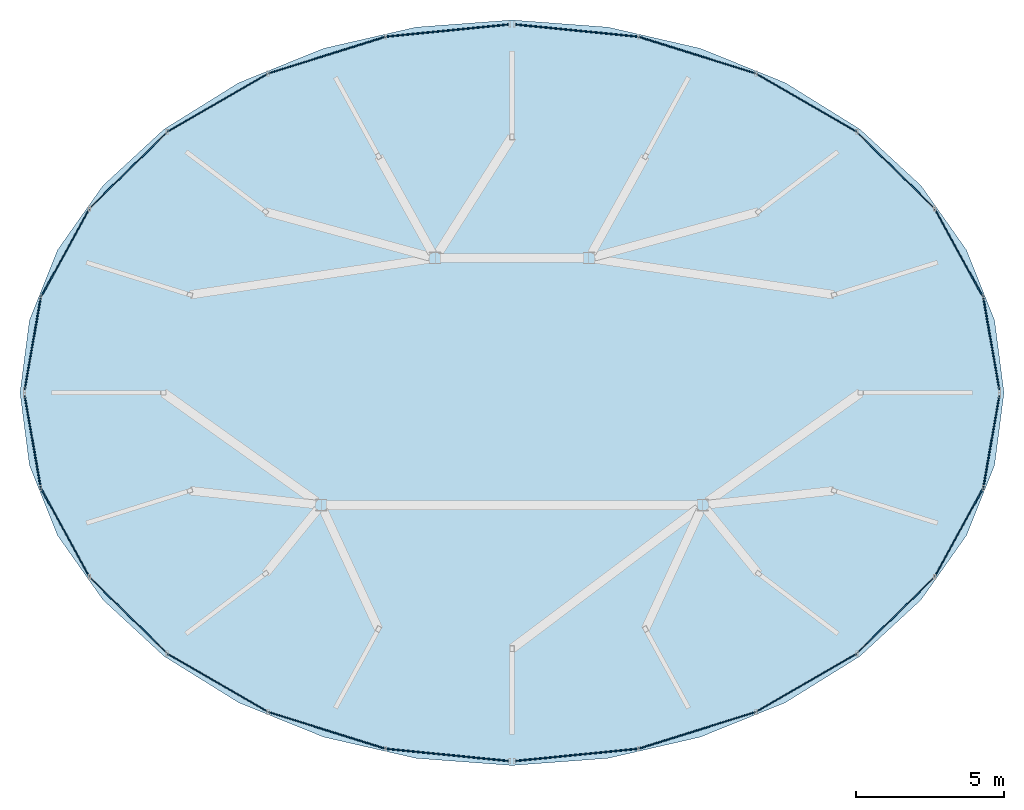
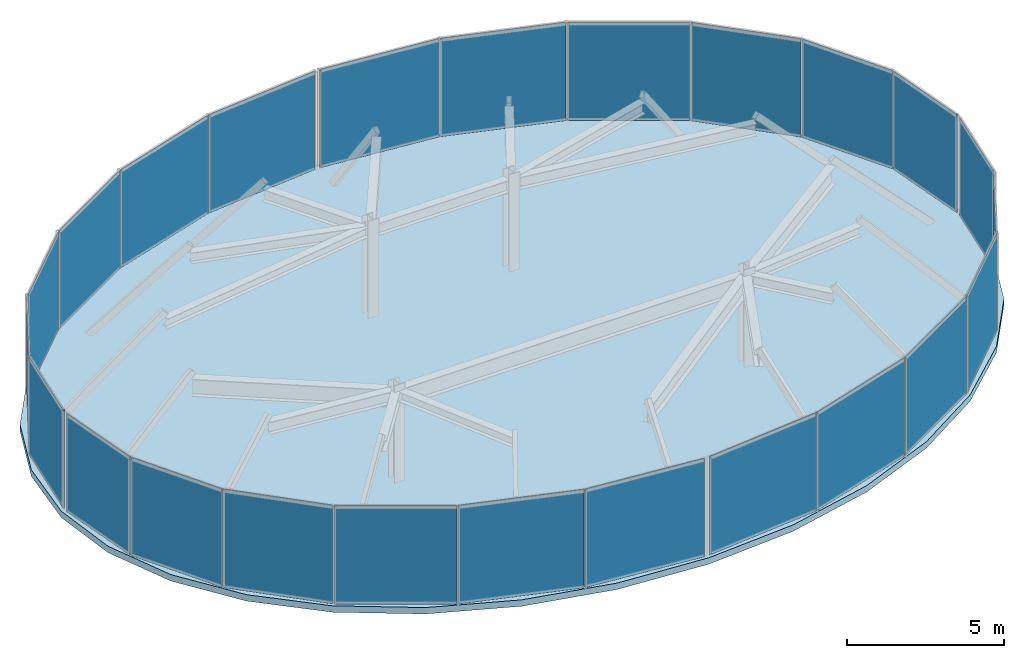
# One storey, part 13 of 13: 24 plates, 1 slab, 4 elements without a shape of their own.
"""IFC4 building model written with IfcOpenShell, lengths in metres."""

from ifc_helpers import new_model, si_unit, direction, frame, origin, origin_2d, place, context, subcontext, project, spatial, polyline, rectangle, outline, extrude, material, layer, layer_set, type_object, element, aggregate, save


model = new_model("IFC4")

# Units and contexts
model_context = context("Model", 3, precision=1e-05, world=origin(), true_north=direction((0.0, 1.0)))
body_context = subcontext(model_context, "Body", "Model", "MODEL_VIEW")
ifc_project = project(units=[si_unit("LENGTHUNIT", "METRE"), si_unit("AREAUNIT", "SQUARE_METRE"), si_unit("VOLUMEUNIT", "CUBIC_METRE"), si_unit("PLANEANGLEUNIT", "RADIAN"), si_unit("MASSUNIT", "GRAM", prefix="KILO")], contexts=[model_context])

# Site, building, storey
site_placement = place(None, origin())
site = spatial("IfcSite", under=ifc_project, at=site_placement, CompositionType="ELEMENT")
building_placement = place(site_placement, origin())
building = spatial("IfcBuilding", under=site, at=building_placement, Name="Vorneva Point Tower", CompositionType="ELEMENT")
storey_placement = place(building_placement, frame((0.0, 0.0, 303.0)))
storey = spatial("IfcBuildingStorey", under=building, at=storey_placement, Name="C03", CompositionType="ELEMENT", Elevation=303.0)

# Curtain wall, plates
ifc_material_1 = material(Name="Pale anodised aluminium", Category="aluminium")
curtain_wall_type = type_object("IfcCurtainWallType", Name="CW-CRN-SYS", PredefinedType="NOTDEFINED", material=ifc_material_1)
curtain_wall_1_placement = place(storey_placement, origin())
curtain_wall_1 = element("IfcCurtainWall", 1, at=curtain_wall_1_placement, inside=storey, type_object=curtain_wall_type, Name="C03 Unitised Curtain Wall CW-C03-Q1", PredefinedType="NOTDEFINED")
ifc_material_2 = material(Name="Triple-laminated clear crown glass", Category="glass")
ifc_layer_1 = layer(ifc_material_2, 0.0419921875)
ifc_layer_set_1 = layer_set([ifc_layer_1], Name="Triple-laminated clear crown glass")
plate_type = type_object("IfcPlateType", Name="CW-PNL-CRN", PredefinedType="CURTAIN_PANEL", material=ifc_layer_set_1)
plate_1_placement = place(storey_placement, frame((54.2041015625, 27.65185546875, -0.02001953125), z_axis=(0.0, 0.0, 1.0), x_axis=(-0.171688387532, 0.985151306951, 0.0)))
plate_1 = element("IfcPlate", 2, at=plate_1_placement, type_object=plate_type, Name="CW-C03-Q1 Glazed Panel 01", PredefinedType="CURTAIN_PANEL", context=body_context, shape_type="SweptSolid", body=[
    extrude(rectangle(XDim=3.1435546875, YDim=0.0419921875, at=origin_2d()), origin(), (0.0, 0.0, 1.0), 3.840087890625),
])
plate_2_placement = place(storey_placement, frame((53.106201171875, 30.727294921875, -0.02001953125), z_axis=(0.0, 0.0, 1.0), x_axis=(-0.480728617686, 0.876869429355, 0.0)))
plate_2 = element("IfcPlate", 3, at=plate_2_placement, type_object=plate_type, Name="CW-C03-Q1 Glazed Panel 02", PredefinedType="CURTAIN_PANEL", context=body_context, shape_type="SweptSolid", body=[
    extrude(rectangle(XDim=3.377197265625, YDim=0.0419921875, at=origin_2d()), origin(), (0.0, 0.0, 1.0), 3.840087890625),
])
plate_3_placement = place(storey_placement, frame((50.971923828125, 33.520263671875, -0.02001953125), z_axis=(0.0, 0.0, 1.0), x_axis=(-0.712565050819, 0.701606049255, 0.0)))
plate_3 = element("IfcPlate", 4, at=plate_3_placement, type_object=plate_type, Name="CW-C03-Q1 Glazed Panel 03", PredefinedType="CURTAIN_PANEL", context=body_context, shape_type="SweptSolid", body=[
    extrude(rectangle(XDim=3.628173828125, YDim=0.0419921875, at=origin_2d()), origin(), (0.0, 0.0, 1.0), 3.840087890625),
])
plate_4_placement = place(storey_placement, frame((47.953857421875, 35.80078125, -0.02001953125), z_axis=(0.0, 0.0, 1.0), x_axis=(-0.865133914015, 0.501540936336, 0.0)))
plate_4 = element("IfcPlate", 5, at=plate_4_placement, type_object=plate_type, Name="CW-C03-Q1 Glazed Panel 04", PredefinedType="CURTAIN_PANEL", context=body_context, shape_type="SweptSolid", body=[
    extrude(rectangle(XDim=3.898193359375, YDim=0.0419921875, at=origin_2d()), origin(), (0.0, 0.0, 1.0), 3.840087890625),
])
plate_5_placement = place(storey_placement, frame((44.257080078125, 37.4130859375, -0.02001953125), z_axis=(0.0, 0.0, 1.0), x_axis=(-0.954365506711, 0.298641054779, 0.0)))
plate_5 = element("IfcPlate", 6, at=plate_5_placement, type_object=plate_type, Name="CW-C03-Q1 Glazed Panel 05", PredefinedType="CURTAIN_PANEL", context=body_context, shape_type="SweptSolid", body=[
    extrude(rectangle(XDim=4.117919921875, YDim=0.0419921875, at=origin_2d()), origin(), (0.0, 0.0, 1.0), 3.840087890625),
])
plate_6_placement = place(storey_placement, frame((40.174072265625, 38.243896484375, -0.02001953125), z_axis=(0.0, 0.0, 1.0), x_axis=(-0.995088450925, 0.098989771366, 0.0)))
plate_6 = element("IfcPlate", 7, at=plate_6_placement, type_object=plate_type, Name="CW-C03-Q1 Glazed Panel 06", PredefinedType="CURTAIN_PANEL", context=body_context, shape_type="SweptSolid", body=[
    extrude(rectangle(XDim=4.159423828125, YDim=0.0419921875, at=origin_2d()), origin(), (0.0, 0.0, 1.0), 3.840087890625),
])
aggregate(curtain_wall_1, [plate_1, plate_2, plate_3, plate_4, plate_5, plate_6])

curtain_wall_2_placement = place(storey_placement, origin())
curtain_wall_2 = element("IfcCurtainWall", 8, at=curtain_wall_2_placement, inside=storey, type_object=curtain_wall_type, Name="C03 Unitised Curtain Wall CW-C03-Q2", PredefinedType="NOTDEFINED")
plate_7_placement = place(storey_placement, frame((35.825927734375, 38.243896484375, -0.02001953125), z_axis=(0.0, 0.0, 1.0), x_axis=(-0.995088450925, -0.098989771366, 0.0)))
plate_7 = element("IfcPlate", 9, at=plate_7_placement, type_object=plate_type, Name="CW-C03-Q2 Glazed Panel 01", PredefinedType="CURTAIN_PANEL", context=body_context, shape_type="SweptSolid", body=[
    extrude(rectangle(XDim=4.159423828125, YDim=0.0419921875, at=origin_2d()), origin(), (0.0, 0.0, 1.0), 3.840087890625),
])
plate_8_placement = place(storey_placement, frame((31.742919921875, 37.4130859375, -0.02001953125), z_axis=(0.0, 0.0, 1.0), x_axis=(-0.954365506711, -0.298641054779, 0.0)))
plate_8 = element("IfcPlate", 10, at=plate_8_placement, type_object=plate_type, Name="CW-C03-Q2 Glazed Panel 02", PredefinedType="CURTAIN_PANEL", context=body_context, shape_type="SweptSolid", body=[
    extrude(rectangle(XDim=4.117919921875, YDim=0.0419921875, at=origin_2d()), origin(), (0.0, 0.0, 1.0), 3.840087890625),
])
plate_9_placement = place(storey_placement, frame((28.046142578125, 35.80078125, -0.02001953125), z_axis=(0.0, 0.0, 1.0), x_axis=(-0.865133914015, -0.501540936336, 0.0)))
plate_9 = element("IfcPlate", 11, at=plate_9_placement, type_object=plate_type, Name="CW-C03-Q2 Glazed Panel 03", PredefinedType="CURTAIN_PANEL", context=body_context, shape_type="SweptSolid", body=[
    extrude(rectangle(XDim=3.898193359375, YDim=0.0419921875, at=origin_2d()), origin(), (0.0, 0.0, 1.0), 3.840087890625),
])
plate_10_placement = place(storey_placement, frame((25.028076171875, 33.520263671875, -0.02001953125), z_axis=(0.0, 0.0, 1.0), x_axis=(-0.712565050819, -0.701606049255, 0.0)))
plate_10 = element("IfcPlate", 12, at=plate_10_placement, type_object=plate_type, Name="CW-C03-Q2 Glazed Panel 04", PredefinedType="CURTAIN_PANEL", context=body_context, shape_type="SweptSolid", body=[
    extrude(rectangle(XDim=3.628173828125, YDim=0.0419921875, at=origin_2d()), origin(), (0.0, 0.0, 1.0), 3.840087890625),
])
plate_11_placement = place(storey_placement, frame((22.893798828125, 30.727294921875, -0.02001953125), z_axis=(0.0, 0.0, 1.0), x_axis=(-0.480728617686, -0.876869429355, 0.0)))
plate_11 = element("IfcPlate", 13, at=plate_11_placement, type_object=plate_type, Name="CW-C03-Q2 Glazed Panel 05", PredefinedType="CURTAIN_PANEL", context=body_context, shape_type="SweptSolid", body=[
    extrude(rectangle(XDim=3.377197265625, YDim=0.0419921875, at=origin_2d()), origin(), (0.0, 0.0, 1.0), 3.840087890625),
])
plate_12_placement = place(storey_placement, frame((21.7958984375, 27.65185546875, -0.02001953125), z_axis=(0.0, 0.0, 1.0), x_axis=(-0.171688387532, -0.985151306951, 0.0)))
plate_12 = element("IfcPlate", 14, at=plate_12_placement, type_object=plate_type, Name="CW-C03-Q2 Glazed Panel 06", PredefinedType="CURTAIN_PANEL", context=body_context, shape_type="SweptSolid", body=[
    extrude(rectangle(XDim=3.1435546875, YDim=0.0419921875, at=origin_2d()), origin(), (0.0, 0.0, 1.0), 3.840087890625),
])
aggregate(curtain_wall_2, [plate_7, plate_8, plate_9, plate_10, plate_11, plate_12])

curtain_wall_3_placement = place(storey_placement, origin())
curtain_wall_3 = element("IfcCurtainWall", 15, at=curtain_wall_3_placement, inside=storey, type_object=curtain_wall_type, Name="C03 Unitised Curtain Wall CW-C03-Q3", PredefinedType="NOTDEFINED")
plate_13_placement = place(storey_placement, frame((21.7958984375, 24.34814453125, -0.02001953125), z_axis=(0.0, 0.0, 1.0), x_axis=(0.171688387532, -0.985151306951, 0.0)))
plate_13 = element("IfcPlate", 16, at=plate_13_placement, type_object=plate_type, Name="CW-C03-Q3 Glazed Panel 01", PredefinedType="CURTAIN_PANEL", context=body_context, shape_type="SweptSolid", body=[
    extrude(rectangle(XDim=3.1435546875, YDim=0.0419921875, at=origin_2d()), origin(), (0.0, 0.0, 1.0), 3.840087890625),
])
plate_14_placement = place(storey_placement, frame((22.893798828125, 21.2724609375, -0.02001953125), z_axis=(0.0, 0.0, 1.0), x_axis=(0.480728617686, -0.876869429355, 0.0)))
plate_14 = element("IfcPlate", 17, at=plate_14_placement, type_object=plate_type, Name="CW-C03-Q3 Glazed Panel 02", PredefinedType="CURTAIN_PANEL", context=body_context, shape_type="SweptSolid", body=[
    extrude(rectangle(XDim=3.377197265625, YDim=0.0419921875, at=origin_2d()), origin(), (0.0, 0.0, 1.0), 3.840087890625),
])
plate_15_placement = place(storey_placement, frame((25.028076171875, 18.479736328125, -0.02001953125), z_axis=(0.0, 0.0, 1.0), x_axis=(0.712565050819, -0.701606049255, 0.0)))
plate_15 = element("IfcPlate", 18, at=plate_15_placement, type_object=plate_type, Name="CW-C03-Q3 Glazed Panel 03", PredefinedType="CURTAIN_PANEL", context=body_context, shape_type="SweptSolid", body=[
    extrude(rectangle(XDim=3.628173828125, YDim=0.0419921875, at=origin_2d()), origin(), (0.0, 0.0, 1.0), 3.840087890625),
])
plate_16_placement = place(storey_placement, frame((28.046142578125, 16.19921875, -0.02001953125), z_axis=(0.0, 0.0, 1.0), x_axis=(0.865133914015, -0.501540936336, 0.0)))
plate_16 = element("IfcPlate", 19, at=plate_16_placement, type_object=plate_type, Name="CW-C03-Q3 Glazed Panel 04", PredefinedType="CURTAIN_PANEL", context=body_context, shape_type="SweptSolid", body=[
    extrude(rectangle(XDim=3.898193359375, YDim=0.0419921875, at=origin_2d()), origin(), (0.0, 0.0, 1.0), 3.840087890625),
])
plate_17_placement = place(storey_placement, frame((31.742919921875, 14.5869140625, -0.02001953125), z_axis=(0.0, 0.0, 1.0), x_axis=(0.954365506711, -0.298641054779, 0.0)))
plate_17 = element("IfcPlate", 20, at=plate_17_placement, type_object=plate_type, Name="CW-C03-Q3 Glazed Panel 05", PredefinedType="CURTAIN_PANEL", context=body_context, shape_type="SweptSolid", body=[
    extrude(rectangle(XDim=4.117919921875, YDim=0.0419921875, at=origin_2d()), origin(), (0.0, 0.0, 1.0), 3.840087890625),
])
plate_18_placement = place(storey_placement, frame((35.825927734375, 13.75634765625, -0.02001953125), z_axis=(0.0, 0.0, 1.0), x_axis=(0.995088450925, -0.098989771366, 0.0)))
plate_18 = element("IfcPlate", 21, at=plate_18_placement, type_object=plate_type, Name="CW-C03-Q3 Glazed Panel 06", PredefinedType="CURTAIN_PANEL", context=body_context, shape_type="SweptSolid", body=[
    extrude(rectangle(XDim=4.159423828125, YDim=0.0419921875, at=origin_2d()), origin(), (0.0, 0.0, 1.0), 3.840087890625),
])
aggregate(curtain_wall_3, [plate_13, plate_14, plate_15, plate_16, plate_17, plate_18])

curtain_wall_4_placement = place(storey_placement, origin())
curtain_wall_4 = element("IfcCurtainWall", 22, at=curtain_wall_4_placement, inside=storey, type_object=curtain_wall_type, Name="C03 Unitised Curtain Wall CW-C03-Q4", PredefinedType="NOTDEFINED")
plate_19_placement = place(storey_placement, frame((40.174072265625, 13.75634765625, -0.02001953125), z_axis=(0.0, 0.0, 1.0), x_axis=(0.995088450925, 0.098989771366, 0.0)))
plate_19 = element("IfcPlate", 23, at=plate_19_placement, type_object=plate_type, Name="CW-C03-Q4 Glazed Panel 01", PredefinedType="CURTAIN_PANEL", context=body_context, shape_type="SweptSolid", body=[
    extrude(rectangle(XDim=4.159423828125, YDim=0.0419921875, at=origin_2d()), origin(), (0.0, 0.0, 1.0), 3.840087890625),
])
plate_20_placement = place(storey_placement, frame((44.257080078125, 14.5869140625, -0.02001953125), z_axis=(0.0, 0.0, 1.0), x_axis=(0.954365506711, 0.298641054779, 0.0)))
plate_20 = element("IfcPlate", 24, at=plate_20_placement, type_object=plate_type, Name="CW-C03-Q4 Glazed Panel 02", PredefinedType="CURTAIN_PANEL", context=body_context, shape_type="SweptSolid", body=[
    extrude(rectangle(XDim=4.117919921875, YDim=0.0419921875, at=origin_2d()), origin(), (0.0, 0.0, 1.0), 3.840087890625),
])
plate_21_placement = place(storey_placement, frame((47.953857421875, 16.19921875, -0.02001953125), z_axis=(0.0, 0.0, 1.0), x_axis=(0.865133914015, 0.501540936336, 0.0)))
plate_21 = element("IfcPlate", 25, at=plate_21_placement, type_object=plate_type, Name="CW-C03-Q4 Glazed Panel 03", PredefinedType="CURTAIN_PANEL", context=body_context, shape_type="SweptSolid", body=[
    extrude(rectangle(XDim=3.898193359375, YDim=0.0419921875, at=origin_2d()), origin(), (0.0, 0.0, 1.0), 3.840087890625),
])
plate_22_placement = place(storey_placement, frame((50.971923828125, 18.479736328125, -0.02001953125), z_axis=(0.0, 0.0, 1.0), x_axis=(0.712565050819, 0.701606049255, 0.0)))
plate_22 = element("IfcPlate", 26, at=plate_22_placement, type_object=plate_type, Name="CW-C03-Q4 Glazed Panel 04", PredefinedType="CURTAIN_PANEL", context=body_context, shape_type="SweptSolid", body=[
    extrude(rectangle(XDim=3.628173828125, YDim=0.0419921875, at=origin_2d()), origin(), (0.0, 0.0, 1.0), 3.840087890625),
])
plate_23_placement = place(storey_placement, frame((53.106201171875, 21.2724609375, -0.02001953125), z_axis=(0.0, 0.0, 1.0), x_axis=(0.480728617686, 0.876869429355, 0.0)))
plate_23 = element("IfcPlate", 27, at=plate_23_placement, type_object=plate_type, Name="CW-C03-Q4 Glazed Panel 05", PredefinedType="CURTAIN_PANEL", context=body_context, shape_type="SweptSolid", body=[
    extrude(rectangle(XDim=3.377197265625, YDim=0.0419921875, at=origin_2d()), origin(), (0.0, 0.0, 1.0), 3.840087890625),
])
plate_24_placement = place(storey_placement, frame((54.2041015625, 24.34814453125, -0.02001953125), z_axis=(0.0, 0.0, 1.0), x_axis=(0.171688387532, 0.985151306951, 0.0)))
plate_24 = element("IfcPlate", 28, at=plate_24_placement, type_object=plate_type, Name="CW-C03-Q4 Glazed Panel 06", PredefinedType="CURTAIN_PANEL", context=body_context, shape_type="SweptSolid", body=[
    extrude(rectangle(XDim=3.1435546875, YDim=0.0419921875, at=origin_2d()), origin(), (0.0, 0.0, 1.0), 3.840087890625),
])
aggregate(curtain_wall_4, [plate_19, plate_20, plate_21, plate_22, plate_23, plate_24])

# Slab
ifc_material_3 = material(Name="Concrete B50 (C40/50)", Category="concrete")
ifc_layer_2 = layer(ifc_material_3, 0.25)
ifc_layer_set_2 = layer_set([ifc_layer_2], Name="Concrete B50 (C40/50)")
slab_type = type_object("IfcSlabType", Name="SLB-ROOF-250", PredefinedType="ROOF", material=ifc_layer_set_2)
slab_placement = place(storey_placement, frame((0.0, 0.0, -0.25)))
element("IfcSlab", 29, at=slab_placement, inside=storey, type_object=slab_type, Name="C03 Crown Structural Roof Ring Slab", PredefinedType="ROOF", context=body_context, shape_type="SweptSolid", body=[
    extrude(outline(polyline([(54.632080078125, 26.0), (54.3125, 28.4580078125), (53.365966796875, 30.82177734375), (51.8291015625, 33.000244140625), (49.760498046875, 34.909423828125), (47.240234375, 36.4765625), (44.36474609375, 37.640869140625), (41.24462890625, 38.35791015625), (38.0, 38.60009765625), (34.75537109375, 38.35791015625), (31.63525390625, 37.640869140625), (28.759765625, 36.4765625), (26.239501953125, 34.909423828125), (24.1708984375, 33.000244140625), (22.634033203125, 30.82177734375), (21.6875, 28.4580078125), (21.367919921875, 26.0), (21.6875, 23.5419921875), (22.634033203125, 21.17822265625), (24.1708984375, 18.999755859375), (26.239501953125, 17.090576171875), (28.759765625, 15.5234375), (31.63525390625, 14.359130859375), (34.75537109375, 13.64208984375), (38.0, 13.39990234375), (41.24462890625, 13.64208984375), (44.36474609375, 14.359130859375), (47.240234375, 15.5234375), (49.760498046875, 17.090576171875), (51.8291015625, 18.999755859375), (53.365966796875, 21.17822265625), (54.3125, 23.5419921875), (54.632080078125, 26.0)])), origin(), (0.0, 0.0, 1.0), 0.25),
])

save(model, "model.ifc")
